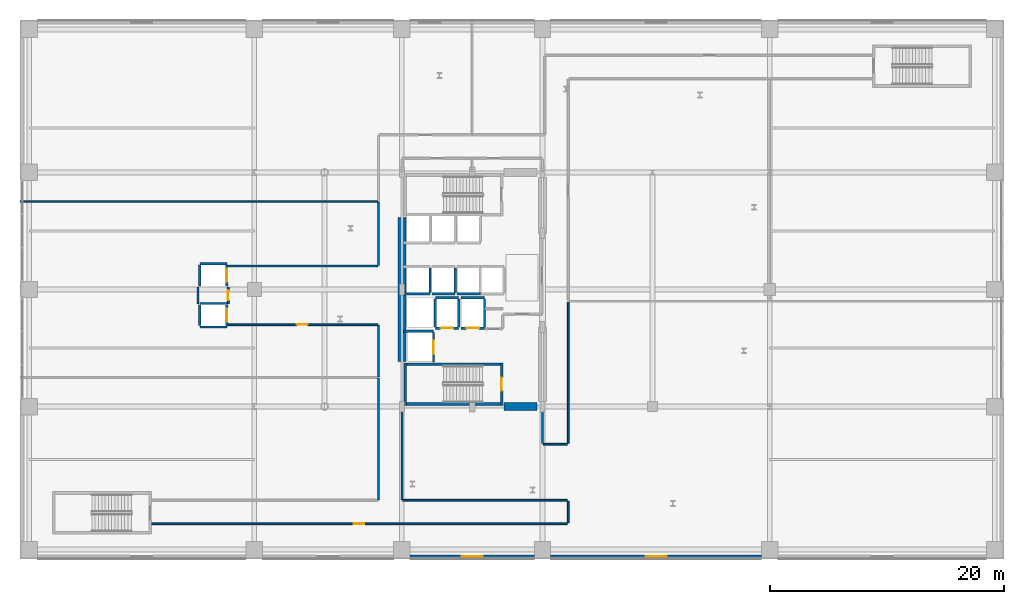
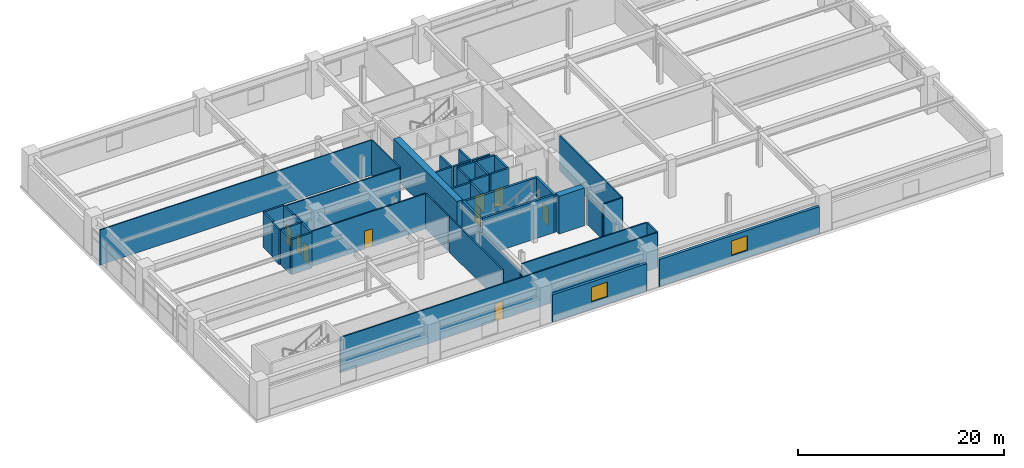
# One storey, part 20 of 28: 44 walls, 9 doors, 2 windows, 11 openings.
"""IFC4 building model written with IfcOpenShell, lengths in metres."""

from ifc_helpers import new_model, si_unit, direction, frame, frame_2d, origin, place, context, subcontext, project, spatial, rectangle, extrude, material, layer, layer_set, type_object, element, fill, save


model = new_model("IFC4")

# Units and contexts
model_context = context("Model", 3, precision=1e-05, world=origin(), true_north=direction((0.0, 1.0)))
body_context = subcontext(model_context, "Body", "Model", "MODEL_VIEW")
ifc_project = project(units=[si_unit("LENGTHUNIT", "METRE"), si_unit("AREAUNIT", "SQUARE_METRE"), si_unit("VOLUMEUNIT", "CUBIC_METRE"), si_unit("PLANEANGLEUNIT", "RADIAN"), si_unit("MASSUNIT", "GRAM", prefix="KILO")], contexts=[model_context])

# Site, building, storey
site_placement = place(None, origin())
site = spatial("IfcSite", under=ifc_project, at=site_placement, CompositionType="ELEMENT")
building_placement = place(site_placement, origin())
building = spatial("IfcBuilding", under=site, at=building_placement, Name="Soratama Intermodal Tower", CompositionType="ELEMENT")
storey_placement = place(building_placement, frame((0.0, 0.0, 20.699951171875)))
storey = spatial("IfcBuildingStorey", under=building, at=storey_placement, Name="L04", CompositionType="ELEMENT", Elevation=20.699951171875)

# Wall, opening, window
ifc_material_1 = material(Name="Concrete f'c 42 MPa", Category="concrete")
ifc_layer_1 = layer(ifc_material_1, 0.300048828125)
ifc_layer_set_1 = layer_set([ifc_layer_1], Name="Concrete f'c 42 MPa")
wall_type_1 = type_object("IfcWallType", Name="EW-STONE-300", PredefinedType="SOLIDWALL", material=ifc_layer_set_1)
wall_1_placement = place(storey_placement, frame((43.89990234375, 2.199951171875, 0.0), z_axis=(0.0, 0.0, 1.0), x_axis=(-1.0, 0.0, 0.0)))
wall_1 = element("IfcWall", 1, at=wall_1_placement, inside=storey, type_object=wall_type_1, Name="L04 S Limestone Wall B3", PredefinedType="SOLIDWALL", context=body_context, shape_type="SweptSolid", body=[
    extrude(rectangle(XDim=10.599853515625, YDim=0.300048828125, at=frame_2d((5.2998046875, 0.0))), origin(), (0.0, 0.0, 1.0), 3.236083984375),
])
opening_1_placement = place(wall_1_placement, frame((4.39990234375, 0.0, 0.85009765625)))
opening_1 = element("IfcOpeningElement", 2, at=opening_1_placement, cuts=wall_1, Name="Opening WN-3", PredefinedType="OPENING", context=body_context, shape_type="SweptSolid", body=[
    extrude(rectangle(XDim=1.800048828125, YDim=1.75, at=frame_2d((0.89990234375, 0.875))), frame((0.0, 0.159912109375, 0.0), z_axis=(0.0, -1.0, 0.0), x_axis=(1.0, 0.0, 0.0)), (0.0, 0.0, 1.0), 0.320068359375),
])
ifc_material_2 = material(Name="Double-glazed aluminium window", Category="aluminium")
window_type = type_object("IfcWindowType", Name="WN-POD-1800", PartitioningType="SINGLE_PANEL", PredefinedType="WINDOW", material=ifc_material_2)
window_1_placement = place(opening_1_placement, origin())
window_1 = element("IfcWindow", 3, at=window_1_placement, inside=storey, type_object=window_type, Name="L04 S Window B3", OverallHeight=1.75, OverallWidth=1.800048828125, PartitioningType="SINGLE_PANEL", PredefinedType="WINDOW", context=body_context, shape_type="SweptSolid", body=[
    extrude(rectangle(XDim=1.800048828125, YDim=1.75, at=frame_2d((0.89990234375, 0.875))), frame((0.0, 0.030029296875, 0.0), z_axis=(0.0, -1.0, 0.0), x_axis=(1.0, 0.0, 0.0)), (0.0, 0.0, 1.0), 0.06005859375),
])
fill(opening_1, window_1)

wall_2_placement = place(storey_placement, frame((63.300048828125, 2.199951171875, 0.0), z_axis=(0.0, 0.0, 1.0), x_axis=(-1.0, 0.0, 0.0)))
wall_2 = element("IfcWall", 4, at=wall_2_placement, inside=storey, type_object=wall_type_1, Name="L04 S Limestone Wall B4", PredefinedType="SOLIDWALL", context=body_context, shape_type="SweptSolid", body=[
    extrude(rectangle(XDim=18.0, YDim=0.300048828125, at=frame_2d((9.0, 0.0))), origin(), (0.0, 0.0, 1.0), 3.236083984375),
])
opening_2_placement = place(wall_2_placement, frame((8.10009765625, 0.0, 0.85009765625)))
opening_2 = element("IfcOpeningElement", 5, at=opening_2_placement, cuts=wall_2, Name="Opening WN-3", PredefinedType="OPENING", context=body_context, shape_type="SweptSolid", body=[
    extrude(rectangle(XDim=1.800048828125, YDim=1.75, at=frame_2d((0.89990234375, 0.875))), frame((0.0, 0.159912109375, 0.0), z_axis=(0.0, -1.0, 0.0), x_axis=(1.0, 0.0, 0.0)), (0.0, 0.0, 1.0), 0.320068359375),
])
window_2_placement = place(opening_2_placement, origin())
window_2 = element("IfcWindow", 6, at=window_2_placement, inside=storey, type_object=window_type, Name="L04 S Window B4", OverallHeight=1.75, OverallWidth=1.800048828125, PartitioningType="SINGLE_PANEL", PredefinedType="WINDOW", context=body_context, shape_type="SweptSolid", body=[
    extrude(rectangle(XDim=1.800048828125, YDim=1.75, at=frame_2d((0.89990234375, 0.875))), frame((0.0, 0.030029296875, 0.0), z_axis=(0.0, -1.0, 0.0), x_axis=(1.0, 0.0, 0.0)), (0.0, 0.0, 1.0), 0.06005859375),
])
fill(opening_2, window_2)

# Wall, opening, door
ifc_material_3 = material(Name="Fire-rated gypsum stud partition", Category="concrete")
ifc_layer_2 = layer(ifc_material_3, 0.14990234375)
ifc_layer_set_2 = layer_set([ifc_layer_2], Name="Fire-rated gypsum stud partition")
wall_type_2 = type_object("IfcWallType", Name="IW-PART-R150", PredefinedType="PARTITIONING", material=ifc_layer_set_2)
wall_3_placement = place(storey_placement, frame((46.72998046875, 5.0, 0.0), z_axis=(0.0, 0.0, 1.0), x_axis=(-1.0, 0.0, 0.0)))
wall_3 = element("IfcWall", 7, at=wall_3_placement, inside=storey, type_object=wall_type_2, Name="L04 Partition W-L04-TP001", PredefinedType="PARTITIONING", context=body_context, shape_type="SweptSolid", body=[
    extrude(rectangle(XDim=35.60986328125, YDim=0.14990234375, at=frame_2d((17.804931640625, 0.0))), origin(), (0.0, 0.0, 1.0), 4.179931640625),
])
opening_3_placement = place(wall_3_placement, frame((17.330078125, 0.0, 0.0)))
opening_3 = element("IfcOpeningElement", 8, at=opening_3_placement, cuts=wall_3, Name="Opening ID-6", PredefinedType="OPENING", context=body_context, shape_type="SweptSolid", body=[
    extrude(rectangle(XDim=0.919921875, YDim=2.1201171875, at=frame_2d((0.4599609375, 1.06005859375))), frame((0.0, 0.0849609375, 0.0), z_axis=(0.0, -1.0, 0.0), x_axis=(1.0, 0.0, 0.0)), (0.0, 0.0, 1.0), 0.169921875),
])
ifc_material_4 = material(Name="Solid hardwood acoustic door", Category="wood")
door_type_1 = type_object("IfcDoorType", Name="DR-ROOM-920", OperationType="NOTDEFINED", PredefinedType="DOOR", material=ifc_material_4)
door_1_placement = place(opening_3_placement, origin())
door_1 = element("IfcDoor", 9, at=door_1_placement, inside=storey, type_object=door_type_1, Name="L04 Door D-L04-TP001", OperationType="SINGLE_SWING_RIGHT", OverallHeight=2.1201171875, OverallWidth=0.919921875, PredefinedType="DOOR", context=body_context, shape_type="SweptSolid", body=[
    extrude(rectangle(XDim=0.919921875, YDim=2.1201171875, at=frame_2d((0.4599609375, 1.06005859375))), frame((0.0, 0.02490234375, 0.0), z_axis=(0.0, -1.0, 0.0), x_axis=(1.0, 0.0, 0.0)), (0.0, 0.0, 1.0), 0.050048828125),
])
fill(opening_3, door_1)

# Wall
wall_4_placement = place(storey_placement, frame((32.669921875, 7.0, 0.0), z_axis=(0.0, 0.0, 1.0), x_axis=(1.0, 0.0, 0.0)))
element("IfcWall", 10, at=wall_4_placement, inside=storey, type_object=wall_type_2, Name="L04 Partition W-L04-TP011", PredefinedType="PARTITIONING", context=body_context, shape_type="SweptSolid", body=[
    extrude(rectangle(XDim=14.06005859375, YDim=0.14990234375, at=frame_2d((7.030029296875, 0.0))), origin(), (0.0, 0.0, 1.0), 4.179931640625),
])

# Wall, opening, door
wall_5_placement = place(storey_placement, frame((30.530029296875, 22.0, 0.0), z_axis=(0.0, 0.0, 1.0), x_axis=(-1.0, 0.0, 0.0)))
wall_5 = element("IfcWall", 11, at=wall_5_placement, inside=storey, type_object=wall_type_2, Name="L04 Partition W-L04-TP012", PredefinedType="PARTITIONING", context=body_context, shape_type="SweptSolid", body=[
    extrude(rectangle(XDim=12.880126953125, YDim=0.14990234375, at=frame_2d((6.43994140625, 0.0))), origin(), (0.0, 0.0, 1.0), 4.179931640625),
])
opening_4_placement = place(wall_5_placement, frame((5.965087890625, 0.0, 0.0)))
opening_4 = element("IfcOpeningElement", 12, at=opening_4_placement, cuts=wall_5, Name="Opening ID-6", PredefinedType="OPENING", context=body_context, shape_type="SweptSolid", body=[
    extrude(rectangle(XDim=0.919921875, YDim=2.1201171875, at=frame_2d((0.4599609375, 1.06005859375))), frame((0.0, 0.0849609375, 0.0), z_axis=(0.0, -1.0, 0.0), x_axis=(1.0, 0.0, 0.0)), (0.0, 0.0, 1.0), 0.169921875),
])
door_2_placement = place(opening_4_placement, origin())
door_2 = element("IfcDoor", 13, at=door_2_placement, inside=storey, type_object=door_type_1, Name="L04 Door D-L04-TP004", OperationType="SINGLE_SWING_LEFT", OverallHeight=2.1201171875, OverallWidth=0.919921875, PredefinedType="DOOR", context=body_context, shape_type="SweptSolid", body=[
    extrude(rectangle(XDim=0.919921875, YDim=2.1201171875, at=frame_2d((0.4599609375, 1.06005859375))), frame((0.0, 0.02490234375, 0.0), z_axis=(0.0, -1.0, 0.0), x_axis=(1.0, 0.0, 0.0)), (0.0, 0.0, 1.0), 0.050048828125),
])
fill(opening_4, door_2)

# Walls
wall_6_placement = place(storey_placement, frame((17.64990234375, 27.0, 0.0), z_axis=(0.0, 0.0, 1.0), x_axis=(1.0, 0.0, 0.0)))
element("IfcWall", 14, at=wall_6_placement, inside=storey, type_object=wall_type_2, Name="L04 Partition W-L04-TP013", PredefinedType="PARTITIONING", context=body_context, shape_type="SweptSolid", body=[
    extrude(rectangle(XDim=12.880126953125, YDim=0.14990234375, at=frame_2d((6.43994140625, 0.0))), origin(), (0.0, 0.0, 1.0), 4.179931640625),
])
wall_7_placement = place(storey_placement, frame((46.800048828125, 23.929931640625, 0.0), z_axis=(0.0, 0.0, 1.0), x_axis=(0.0, -1.0, 0.0)))
element("IfcWall", 15, at=wall_7_placement, inside=storey, type_object=wall_type_2, Name="L04 Partition W-L04-TP014", PredefinedType="PARTITIONING", context=body_context, shape_type="SweptSolid", body=[
    extrude(rectangle(XDim=12.059814453125, YDim=0.14990234375, at=frame_2d((6.02978515625, 0.0))), origin(), (0.0, 0.0, 1.0), 4.179931640625),
])
wall_8_placement = place(storey_placement, frame((30.60009765625, 7.070068359375, 0.0), z_axis=(0.0, 0.0, 1.0), x_axis=(0.0, 1.0, 0.0)))
element("IfcWall", 16, at=wall_8_placement, inside=storey, type_object=wall_type_2, Name="L04 Partition W-L04-TP015", PredefinedType="PARTITIONING", context=body_context, shape_type="SweptSolid", body=[
    extrude(rectangle(XDim=10.35986328125, YDim=0.14990234375, at=frame_2d((5.179931640625, 0.0))), origin(), (0.0, 0.0, 1.0), 4.179931640625),
])
wall_9_placement = place(storey_placement, frame((32.60009765625, 14.929931640625, 0.0), z_axis=(0.0, 0.0, 1.0), x_axis=(0.0, -1.0, 0.0)))
element("IfcWall", 17, at=wall_9_placement, inside=storey, type_object=wall_type_2, Name="L04 Partition W-L04-TP018", PredefinedType="PARTITIONING", context=body_context, shape_type="SweptSolid", body=[
    extrude(rectangle(XDim=7.85986328125, YDim=0.14990234375, at=frame_2d((3.929931640625, 0.0))), origin(), (0.0, 0.0, 1.0), 3.302001953125),
])
wall_10_placement = place(storey_placement, frame((30.60009765625, 27.070068359375, 0.0), z_axis=(0.0, 0.0, 1.0), x_axis=(0.0, 1.0, 0.0)))
element("IfcWall", 18, at=wall_10_placement, inside=storey, type_object=wall_type_2, Name="L04 Partition W-L04-TP026", PredefinedType="PARTITIONING", context=body_context, shape_type="SweptSolid", body=[
    extrude(rectangle(XDim=5.35986328125, YDim=0.14990234375, at=frame_2d((2.679931640625, 0.0))), origin(), (0.0, 0.0, 1.0), 4.179931640625),
])
wall_11_placement = place(storey_placement, frame((30.60009765625, 17.570068359375, 0.0), z_axis=(0.0, 0.0, 1.0), x_axis=(0.0, 1.0, 0.0)))
element("IfcWall", 19, at=wall_11_placement, inside=storey, type_object=wall_type_2, Name="L04 Partition W-L04-TP027", PredefinedType="PARTITIONING", context=body_context, shape_type="SweptSolid", body=[
    extrude(rectangle(XDim=4.35986328125, YDim=0.14990234375, at=frame_2d((2.179931640625, 0.0))), origin(), (0.0, 0.0, 1.0), 4.179931640625),
])
wall_12_placement = place(storey_placement, frame((44.60009765625, 11.8701171875, 0.0), z_axis=(0.0, 0.0, 1.0), x_axis=(0.0, 1.0, 0.0)))
element("IfcWall", 20, at=wall_12_placement, inside=storey, type_object=wall_type_2, Name="L04 Partition W-L04-TP029", PredefinedType="PARTITIONING", context=body_context, shape_type="SweptSolid", body=[
    extrude(rectangle(XDim=3.059814453125, YDim=0.14990234375, at=frame_2d((1.52978515625, 0.0))), origin(), (0.0, 0.0, 1.0), 3.302001953125),
])
wall_13_placement = place(storey_placement, frame((46.72998046875, 11.800048828125, 0.0), z_axis=(0.0, 0.0, 1.0), x_axis=(-1.0, 0.0, 0.0)))
element("IfcWall", 21, at=wall_13_placement, inside=storey, type_object=wall_type_2, Name="L04 Partition W-L04-TP030", PredefinedType="PARTITIONING", context=body_context, shape_type="SweptSolid", body=[
    extrude(rectangle(XDim=2.06005859375, YDim=0.14990234375, at=frame_2d((1.030029296875, 0.0))), origin(), (0.0, 0.0, 1.0), 4.179931640625),
])
wall_14_placement = place(storey_placement, frame((46.800048828125, 6.929931640625, 0.0), z_axis=(0.0, 0.0, 1.0), x_axis=(0.0, -1.0, 0.0)))
element("IfcWall", 22, at=wall_14_placement, inside=storey, type_object=wall_type_2, Name="L04 Partition W-L04-TP031", PredefinedType="PARTITIONING", context=body_context, shape_type="SweptSolid", body=[
    extrude(rectangle(XDim=1.85986328125, YDim=0.14990234375, at=frame_2d((0.929931640625, 0.0))), origin(), (0.0, 0.0, 1.0), 4.179931640625),
])

# Wall, opening, door
wall_15_placement = place(storey_placement, frame((17.77001953125, 23.800048828125, 0.0), z_axis=(0.0, 0.0, 1.0), x_axis=(0.0, 1.0, 0.0)))
wall_15 = element("IfcWall", 23, at=wall_15_placement, inside=storey, type_object=wall_type_2, Name="L04 Partition W-L04-TP033", PredefinedType="PARTITIONING", context=body_context, shape_type="SweptSolid", body=[
    extrude(rectangle(XDim=1.39990234375, YDim=0.14990234375, at=frame_2d((0.699951171875, 0.0))), origin(), (0.0, 0.0, 1.0), 4.179931640625),
])
opening_5_placement = place(wall_15_placement, frame((0.27490234375, 0.0, 0.0)))
opening_5 = element("IfcOpeningElement", 24, at=opening_5_placement, cuts=wall_15, Name="Opening ID-4", PredefinedType="OPENING", context=body_context, shape_type="SweptSolid", body=[
    extrude(rectangle(XDim=0.85009765625, YDim=2.10009765625, at=frame_2d((0.425048828125, 1.050048828125))), frame((0.0, 0.0849609375, 0.0), z_axis=(0.0, -1.0, 0.0), x_axis=(1.0, 0.0, 0.0)), (0.0, 0.0, 1.0), 0.169921875),
])
ifc_material_5 = material(Name="Solid hardwood acoustic door", Category="wood")
door_type_2 = type_object("IfcDoorType", Name="DR-BATH-850", OperationType="NOTDEFINED", PredefinedType="DOOR", material=ifc_material_5)
door_3_placement = place(opening_5_placement, origin())
door_3 = element("IfcDoor", 25, at=door_3_placement, inside=storey, type_object=door_type_2, Name="L04 Door D-L04-TP011", OperationType="SINGLE_SWING_LEFT", OverallHeight=2.10009765625, OverallWidth=0.85009765625, PredefinedType="DOOR", context=body_context, shape_type="SweptSolid", body=[
    extrude(rectangle(XDim=0.85009765625, YDim=2.10009765625, at=frame_2d((0.425048828125, 1.050048828125))), frame((0.0, 0.02490234375, 0.0), z_axis=(0.0, -1.0, 0.0), x_axis=(1.0, 0.0, 0.0)), (0.0, 0.0, 1.0), 0.050048828125),
])
fill(opening_5, door_3)

# Walls
wall_16_placement = place(storey_placement, frame((15.205078125, 23.800048828125, 0.0), z_axis=(0.0, 0.0, 1.0), x_axis=(0.0, 1.0, 0.0)))
element("IfcWall", 26, at=wall_16_placement, inside=storey, type_object=wall_type_2, Name="L04 Partition W-L04-TP034", PredefinedType="PARTITIONING", context=body_context, shape_type="SweptSolid", body=[
    extrude(rectangle(XDim=1.39990234375, YDim=0.14990234375, at=frame_2d((0.699951171875, 0.0))), origin(), (0.0, 0.0, 1.0), 4.179931640625),
])
ifc_material_6 = material(Name="Fire-rated gypsum stud partition", Category="concrete")
ifc_layer_3 = layer(ifc_material_6, 0.1201171875)
ifc_layer_set_3 = layer_set([ifc_layer_3], Name="Fire-rated gypsum stud partition")
wall_type_3 = type_object("IfcWallType", Name="IW-PART-S120", PredefinedType="PARTITIONING", material=ifc_layer_set_3)
wall_17_placement = place(storey_placement, frame((0.0, 32.5, 0.0), z_axis=(0.0, 0.0, 1.0), x_axis=(1.0, 0.0, 0.0)))
element("IfcWall", 27, at=wall_17_placement, inside=storey, type_object=wall_type_3, Name="L04 Partition W-L04-TP003", PredefinedType="PARTITIONING", context=body_context, shape_type="SweptSolid", body=[
    extrude(rectangle(XDim=30.530029296875, YDim=0.1201171875, at=frame_2d((15.26513671875, 0.0))), origin(), (0.0, 0.0, 1.0), 4.179931640625),
])

# Wall, opening, door
ifc_material_7 = material(Name="Concrete f'c 42 MPa", Category="concrete")
ifc_layer_4 = layer(ifc_material_7, 0.199951171875)
ifc_layer_set_4 = layer_set([ifc_layer_4], Name="Concrete f'c 42 MPa")
wall_type_4 = type_object("IfcWallType", Name="IW-SHAFT-200", PredefinedType="SOLIDWALL", material=ifc_layer_set_4)
wall_18_placement = place(storey_placement, frame((35.449951171875, 21.699951171875, 0.0), z_axis=(0.0, 0.0, 1.0), x_axis=(1.0, 0.0, 0.0)))
wall_18 = element("IfcWall", 28, at=wall_18_placement, inside=storey, type_object=wall_type_4, Name="L04 FFL-1 Hoistway Wall S", PredefinedType="SOLIDWALL", context=body_context, shape_type="SweptSolid", body=[
    extrude(rectangle(XDim=2.0, YDim=0.199951171875, at=frame_2d((1.0, 0.0))), origin(), (0.0, 0.0, 1.0), 4.179931640625),
])
opening_6_placement = place(wall_18_placement, frame((0.449951171875, 0.0, 0.0)))
opening_6 = element("IfcOpeningElement", 29, at=opening_6_placement, cuts=wall_18, Name="Opening LD-1", PredefinedType="OPENING", context=body_context, shape_type="SweptSolid", body=[
    extrude(rectangle(XDim=1.10009765625, YDim=2.14990234375, at=frame_2d((0.550048828125, 1.074951171875))), frame((0.0, 0.10986328125, 0.0), z_axis=(0.0, -1.0, 0.0), x_axis=(1.0, 0.0, 0.0)), (0.0, 0.0, 1.0), 0.219970703125),
])
ifc_material_8 = material(Name="Steel fire door", Category="steel")
door_type_3 = type_object("IfcDoorType", Name="DR-LIFT-SLIDE", OperationType="NOTDEFINED", PredefinedType="DOOR", material=ifc_material_8)
door_4_placement = place(opening_6_placement, origin())
door_4 = element("IfcDoor", 30, at=door_4_placement, inside=storey, type_object=door_type_3, Name="L04 FFL-1 Sliding Landing Door", OperationType="SLIDING_TO_LEFT", OverallHeight=2.14990234375, OverallWidth=1.10009765625, PredefinedType="DOOR", context=body_context, shape_type="SweptSolid", body=[
    extrude(rectangle(XDim=1.10009765625, YDim=2.14990234375, at=frame_2d((0.550048828125, 1.074951171875))), frame((0.0, 0.02490234375, 0.0), z_axis=(0.0, -1.0, 0.0), x_axis=(1.0, 0.0, 0.0)), (0.0, 0.0, 1.0), 0.050048828125),
])
fill(opening_6, door_4)

# Walls
wall_19_placement = place(storey_placement, frame((35.449951171875, 24.300048828125, 0.0), z_axis=(0.0, 0.0, 1.0), x_axis=(1.0, 0.0, 0.0)))
element("IfcWall", 31, at=wall_19_placement, inside=storey, type_object=wall_type_4, Name="L04 FFL-1 Hoistway Wall N", PredefinedType="SOLIDWALL", context=body_context, shape_type="SweptSolid", body=[
    extrude(rectangle(XDim=2.0, YDim=0.199951171875, at=frame_2d((1.0, 0.0))), origin(), (0.0, 0.0, 1.0), 4.179931640625),
])
for number, where, z_axis, x_axis, name in (
    (32, (35.449951171875, 21.81005859375, 0.0), (0.0, 0.0, 1.0), (0.0, 1.0, 0.0), "L04 FFL-1 Hoistway Wall W"),
    (33, (37.449951171875, 21.81005859375, 0.0), (0.0, 0.0, 1.0), (0.0, 1.0, 0.0), "L04 FFL-1 Hoistway Wall E"),
):
    element("IfcWall", number, at=place(storey_placement, frame(where, z_axis=z_axis, x_axis=x_axis)), inside=storey, type_object=wall_type_4, Name=name, PredefinedType="SOLIDWALL", context=body_context, shape_type="SweptSolid", body=[
        extrude(rectangle(XDim=2.3798828125, YDim=0.199951171875, at=frame_2d((1.18994140625, 0.0))), origin(), (0.0, 0.0, 1.0), 4.179931640625),
    ])

# Wall, opening, door
wall_20_placement = place(storey_placement, frame((37.64990234375, 21.699951171875, 0.0), z_axis=(0.0, 0.0, 1.0), x_axis=(1.0, 0.0, 0.0)))
wall_20 = element("IfcWall", 34, at=wall_20_placement, inside=storey, type_object=wall_type_4, Name="L04 FFL-2 Hoistway Wall S", PredefinedType="SOLIDWALL", context=body_context, shape_type="SweptSolid", body=[
    extrude(rectangle(XDim=2.0, YDim=0.199951171875, at=frame_2d((1.0, 0.0))), origin(), (0.0, 0.0, 1.0), 4.179931640625),
])
opening_7_placement = place(wall_20_placement, frame((0.449951171875, 0.0, 0.0)))
opening_7 = element("IfcOpeningElement", 35, at=opening_7_placement, cuts=wall_20, Name="Opening LD-1", PredefinedType="OPENING", context=body_context, shape_type="SweptSolid", body=[
    extrude(rectangle(XDim=1.10009765625, YDim=2.14990234375, at=frame_2d((0.550048828125, 1.074951171875))), frame((0.0, 0.10986328125, 0.0), z_axis=(0.0, -1.0, 0.0), x_axis=(1.0, 0.0, 0.0)), (0.0, 0.0, 1.0), 0.219970703125),
])
door_5_placement = place(opening_7_placement, origin())
door_5 = element("IfcDoor", 36, at=door_5_placement, inside=storey, type_object=door_type_3, Name="L04 FFL-2 Sliding Landing Door", OperationType="SLIDING_TO_LEFT", OverallHeight=2.14990234375, OverallWidth=1.10009765625, PredefinedType="DOOR", context=body_context, shape_type="SweptSolid", body=[
    extrude(rectangle(XDim=1.10009765625, YDim=2.14990234375, at=frame_2d((0.550048828125, 1.074951171875))), frame((0.0, 0.02490234375, 0.0), z_axis=(0.0, -1.0, 0.0), x_axis=(1.0, 0.0, 0.0)), (0.0, 0.0, 1.0), 0.050048828125),
])
fill(opening_7, door_5)

# Walls
wall_21_placement = place(storey_placement, frame((37.64990234375, 24.300048828125, 0.0), z_axis=(0.0, 0.0, 1.0), x_axis=(1.0, 0.0, 0.0)))
element("IfcWall", 37, at=wall_21_placement, inside=storey, type_object=wall_type_4, Name="L04 FFL-2 Hoistway Wall N", PredefinedType="SOLIDWALL", context=body_context, shape_type="SweptSolid", body=[
    extrude(rectangle(XDim=2.0, YDim=0.199951171875, at=frame_2d((1.0, 0.0))), origin(), (0.0, 0.0, 1.0), 4.179931640625),
])
wall_22_placement = place(storey_placement, frame((39.64990234375, 21.81005859375, 0.0), z_axis=(0.0, 0.0, 1.0), x_axis=(0.0, 1.0, 0.0)))
element("IfcWall", 38, at=wall_22_placement, inside=storey, type_object=wall_type_4, Name="L04 FFL-2 Hoistway Wall E", PredefinedType="SOLIDWALL", context=body_context, shape_type="SweptSolid", body=[
    extrude(rectangle(XDim=2.3798828125, YDim=0.199951171875, at=frame_2d((1.18994140625, 0.0))), origin(), (0.0, 0.0, 1.0), 4.179931640625),
])
wall_23_placement = place(storey_placement, frame((32.719970703125, 21.449951171875, 0.0), z_axis=(0.0, 0.0, 1.0), x_axis=(1.0, 0.0, 0.0)))
element("IfcWall", 39, at=wall_23_placement, inside=storey, type_object=wall_type_4, Name="L04 SVL-1 Hoistway Wall N", PredefinedType="SOLIDWALL", context=body_context, shape_type="SweptSolid", body=[
    extrude(rectangle(XDim=2.580078125, YDim=0.199951171875, at=frame_2d((1.2900390625, 0.0))), origin(), (0.0, 0.0, 1.0), 4.179931640625),
])

# Wall, opening, door
wall_24_placement = place(storey_placement, frame((35.300048828125, 18.7900390625, 0.0), z_axis=(0.0, 0.0, 1.0), x_axis=(0.0, 1.0, 0.0)))
wall_24 = element("IfcWall", 40, at=wall_24_placement, inside=storey, type_object=wall_type_4, Name="L04 SVL-1 Hoistway Wall E", PredefinedType="SOLIDWALL", context=body_context, shape_type="SweptSolid", body=[
    extrude(rectangle(XDim=2.550048828125, YDim=0.199951171875, at=frame_2d((1.27490234375, 0.0))), origin(), (0.0, 0.0, 1.0), 4.179931640625),
])
opening_8_placement = place(wall_24_placement, frame((0.72509765625, 0.0, 0.0)))
opening_8 = element("IfcOpeningElement", 41, at=opening_8_placement, cuts=wall_24, Name="Opening LD-1", PredefinedType="OPENING", context=body_context, shape_type="SweptSolid", body=[
    extrude(rectangle(XDim=1.10009765625, YDim=2.14990234375, at=frame_2d((0.550048828125, 1.074951171875))), frame((0.0, 0.10986328125, 0.0), z_axis=(0.0, -1.0, 0.0), x_axis=(1.0, 0.0, 0.0)), (0.0, 0.0, 1.0), 0.219970703125),
])
door_6_placement = place(opening_8_placement, origin())
door_6 = element("IfcDoor", 42, at=door_6_placement, inside=storey, type_object=door_type_3, Name="L04 SVL-1 Sliding Landing Door", OperationType="SLIDING_TO_LEFT", OverallHeight=2.14990234375, OverallWidth=1.10009765625, PredefinedType="DOOR", context=body_context, shape_type="SweptSolid", body=[
    extrude(rectangle(XDim=1.10009765625, YDim=2.14990234375, at=frame_2d((0.550048828125, 1.074951171875))), frame((0.0, 0.02490234375, 0.0), z_axis=(0.0, -1.0, 0.0), x_axis=(1.0, 0.0, 0.0)), (0.0, 0.0, 1.0), 0.050048828125),
])
fill(opening_8, door_6)

# Walls
for number, where, z_axis, x_axis, name in (
    (43, (15.35009765625, 21.800048828125, 0.0), (0.0, 0.0, 1.0), (1.0, 0.0, 0.0), "L04 PL-P1 Hoistway Wall S"),
    (44, (15.35009765625, 23.800048828125, 0.0), (0.0, 0.0, 1.0), (1.0, 0.0, 0.0), "L04 PL-P1 Hoistway Wall N"),
):
    element("IfcWall", number, at=place(storey_placement, frame(where, z_axis=z_axis, x_axis=x_axis)), inside=storey, type_object=wall_type_4, Name=name, PredefinedType="SOLIDWALL", context=body_context, shape_type="SweptSolid", body=[
        extrude(rectangle(XDim=2.2998046875, YDim=0.199951171875, at=frame_2d((1.14990234375, 0.0))), origin(), (0.0, 0.0, 1.0), 4.179931640625),
    ])
wall_25_placement = place(storey_placement, frame((15.35009765625, 21.909912109375, 0.0), z_axis=(0.0, 0.0, 1.0), x_axis=(0.0, 1.0, 0.0)))
element("IfcWall", 45, at=wall_25_placement, inside=storey, type_object=wall_type_4, Name="L04 PL-P1 Hoistway Wall W", PredefinedType="SOLIDWALL", context=body_context, shape_type="SweptSolid", body=[
    extrude(rectangle(XDim=1.780029296875, YDim=0.199951171875, at=frame_2d((0.89013671875, 0.0))), origin(), (0.0, 0.0, 1.0), 4.179931640625),
])

# Wall, opening, door
wall_26_placement = place(storey_placement, frame((17.64990234375, 21.909912109375, 0.0), z_axis=(0.0, 0.0, 1.0), x_axis=(0.0, 1.0, 0.0)))
wall_26 = element("IfcWall", 46, at=wall_26_placement, inside=storey, type_object=wall_type_4, Name="L04 PL-P1 Hoistway Wall E", PredefinedType="SOLIDWALL", context=body_context, shape_type="SweptSolid", body=[
    extrude(rectangle(XDim=1.780029296875, YDim=0.199951171875, at=frame_2d((0.89013671875, 0.0))), origin(), (0.0, 0.0, 1.0), 4.179931640625),
])
opening_9_placement = place(wall_26_placement, frame((0.340087890625, 0.0, 0.0)))
opening_9 = element("IfcOpeningElement", 47, at=opening_9_placement, cuts=wall_26, Name="Opening LD-1", PredefinedType="OPENING", context=body_context, shape_type="SweptSolid", body=[
    extrude(rectangle(XDim=1.10009765625, YDim=2.14990234375, at=frame_2d((0.550048828125, 1.074951171875))), frame((0.0, 0.10986328125, 0.0), z_axis=(0.0, -1.0, 0.0), x_axis=(1.0, 0.0, 0.0)), (0.0, 0.0, 1.0), 0.219970703125),
])
door_7_placement = place(opening_9_placement, origin())
door_7 = element("IfcDoor", 48, at=door_7_placement, inside=storey, type_object=door_type_3, Name="L04 PL-P1 Sliding Landing Door", OperationType="SLIDING_TO_LEFT", OverallHeight=2.14990234375, OverallWidth=1.10009765625, PredefinedType="DOOR", context=body_context, shape_type="SweptSolid", body=[
    extrude(rectangle(XDim=1.10009765625, YDim=2.14990234375, at=frame_2d((0.550048828125, 1.074951171875))), frame((0.0, 0.02490234375, 0.0), z_axis=(0.0, -1.0, 0.0), x_axis=(1.0, 0.0, 0.0)), (0.0, 0.0, 1.0), 0.050048828125),
])
fill(opening_9, door_7)

# Walls
wall_27_placement = place(storey_placement, frame((15.35009765625, 27.199951171875, 0.0), z_axis=(0.0, 0.0, 1.0), x_axis=(1.0, 0.0, 0.0)))
element("IfcWall", 49, at=wall_27_placement, inside=storey, type_object=wall_type_4, Name="L04 PL-P2 Hoistway Wall N", PredefinedType="SOLIDWALL", context=body_context, shape_type="SweptSolid", body=[
    extrude(rectangle(XDim=2.2998046875, YDim=0.199951171875, at=frame_2d((1.14990234375, 0.0))), origin(), (0.0, 0.0, 1.0), 4.179931640625),
])
wall_28_placement = place(storey_placement, frame((15.35009765625, 25.31005859375, 0.0), z_axis=(0.0, 0.0, 1.0), x_axis=(0.0, 1.0, 0.0)))
element("IfcWall", 50, at=wall_28_placement, inside=storey, type_object=wall_type_4, Name="L04 PL-P2 Hoistway Wall W", PredefinedType="SOLIDWALL", context=body_context, shape_type="SweptSolid", body=[
    extrude(rectangle(XDim=1.780029296875, YDim=0.199951171875, at=frame_2d((0.89013671875, 0.0))), origin(), (0.0, 0.0, 1.0), 4.179931640625),
])

# Wall, opening, door
wall_29_placement = place(storey_placement, frame((17.64990234375, 25.31005859375, 0.0), z_axis=(0.0, 0.0, 1.0), x_axis=(0.0, 1.0, 0.0)))
wall_29 = element("IfcWall", 51, at=wall_29_placement, inside=storey, type_object=wall_type_4, Name="L04 PL-P2 Hoistway Wall E", PredefinedType="SOLIDWALL", context=body_context, shape_type="SweptSolid", body=[
    extrude(rectangle(XDim=1.780029296875, YDim=0.199951171875, at=frame_2d((0.89013671875, 0.0))), origin(), (0.0, 0.0, 1.0), 4.179931640625),
])
opening_10_placement = place(wall_29_placement, frame((0.340087890625, 0.0, 0.0)))
opening_10 = element("IfcOpeningElement", 52, at=opening_10_placement, cuts=wall_29, Name="Opening LD-1", PredefinedType="OPENING", context=body_context, shape_type="SweptSolid", body=[
    extrude(rectangle(XDim=1.10009765625, YDim=2.14990234375, at=frame_2d((0.550048828125, 1.074951171875))), frame((0.0, 0.10986328125, 0.0), z_axis=(0.0, -1.0, 0.0), x_axis=(1.0, 0.0, 0.0)), (0.0, 0.0, 1.0), 0.219970703125),
])
door_8_placement = place(opening_10_placement, origin())
door_8 = element("IfcDoor", 53, at=door_8_placement, inside=storey, type_object=door_type_3, Name="L04 PL-P2 Sliding Landing Door", OperationType="SLIDING_TO_LEFT", OverallHeight=2.14990234375, OverallWidth=1.10009765625, PredefinedType="DOOR", context=body_context, shape_type="SweptSolid", body=[
    extrude(rectangle(XDim=1.10009765625, YDim=2.14990234375, at=frame_2d((0.550048828125, 1.074951171875))), frame((0.0, 0.02490234375, 0.0), z_axis=(0.0, -1.0, 0.0), x_axis=(1.0, 0.0, 0.0)), (0.0, 0.0, 1.0), 0.050048828125),
])
fill(opening_10, door_8)

# Walls
wall_30_placement = place(storey_placement, frame((32.719970703125, 24.64990234375, 0.0), z_axis=(0.0, 0.0, 1.0), x_axis=(1.0, 0.0, 0.0)))
element("IfcWall", 54, at=wall_30_placement, inside=storey, type_object=wall_type_4, Name="L04 PL-L1 Hoistway Wall S", PredefinedType="SOLIDWALL", context=body_context, shape_type="SweptSolid", body=[
    extrude(rectangle(XDim=2.280029296875, YDim=0.199951171875, at=frame_2d((1.14013671875, 0.0))), origin(), (0.0, 0.0, 1.0), 4.179931640625),
])
wall_31_placement = place(storey_placement, frame((35.0, 24.760009765625, 0.0), z_axis=(0.0, 0.0, 1.0), x_axis=(0.0, 1.0, 0.0)))
element("IfcWall", 55, at=wall_31_placement, inside=storey, type_object=wall_type_4, Name="L04 PL-L1 Hoistway Wall E", PredefinedType="SOLIDWALL", context=body_context, shape_type="SweptSolid", body=[
    extrude(rectangle(XDim=2.080078125, YDim=0.199951171875, at=frame_2d((1.0400390625, 0.0))), origin(), (0.0, 0.0, 1.0), 4.179931640625),
])
wall_32_placement = place(storey_placement, frame((35.14990234375, 24.64990234375, 0.0), z_axis=(0.0, 0.0, 1.0), x_axis=(1.0, 0.0, 0.0)))
element("IfcWall", 56, at=wall_32_placement, inside=storey, type_object=wall_type_4, Name="L04 PL-L2 Hoistway Wall S", PredefinedType="SOLIDWALL", context=body_context, shape_type="SweptSolid", body=[
    extrude(rectangle(XDim=2.0, YDim=0.199951171875, at=frame_2d((1.0, 0.0))), origin(), (0.0, 0.0, 1.0), 4.179931640625),
])
wall_33_placement = place(storey_placement, frame((37.14990234375, 24.760009765625, 0.0), z_axis=(0.0, 0.0, 1.0), x_axis=(0.0, 1.0, 0.0)))
element("IfcWall", 57, at=wall_33_placement, inside=storey, type_object=wall_type_4, Name="L04 PL-L2 Hoistway Wall E", PredefinedType="SOLIDWALL", context=body_context, shape_type="SweptSolid", body=[
    extrude(rectangle(XDim=2.080078125, YDim=0.199951171875, at=frame_2d((1.0400390625, 0.0))), origin(), (0.0, 0.0, 1.0), 4.179931640625),
])
wall_34_placement = place(storey_placement, frame((37.300048828125, 24.64990234375, 0.0), z_axis=(0.0, 0.0, 1.0), x_axis=(1.0, 0.0, 0.0)))
element("IfcWall", 58, at=wall_34_placement, inside=storey, type_object=wall_type_4, Name="L04 PL-L3 Hoistway Wall S", PredefinedType="SOLIDWALL", context=body_context, shape_type="SweptSolid", body=[
    extrude(rectangle(XDim=2.0, YDim=0.199951171875, at=frame_2d((1.0, 0.0))), origin(), (0.0, 0.0, 1.0), 4.179931640625),
])
ifc_material_9 = material(Name="Concrete f'c 56 MPa", Category="concrete")
ifc_layer_5 = layer(ifc_material_9, 0.699951171875)
ifc_layer_set_5 = layer_set([ifc_layer_5], Name="Concrete f'c 56 MPa")
wall_type_5 = type_object("IfcWallType", Name="SW-CORE-700", PredefinedType="SHEAR", material=ifc_layer_set_5)
wall_35_placement = place(storey_placement, frame((32.60009765625, 18.85009765625, 0.0), z_axis=(0.0, 0.0, 1.0), x_axis=(0.0, 1.0, 0.0)))
element("IfcWall", 59, at=wall_35_placement, inside=storey, type_object=wall_type_5, Name="L04 Core Shear Wall CW-WMID", PredefinedType="SHEAR", context=body_context, shape_type="SweptSolid", body=[
    extrude(rectangle(XDim=12.2998046875, YDim=0.699951171875, at=frame_2d((6.14990234375, 0.0))), origin(), (0.0, 0.0, 1.0), 4.5),
])
wall_36_placement = place(storey_placement, frame((41.300048828125, 15.0, 0.0), z_axis=(0.0, 0.0, 1.0), x_axis=(1.0, 0.0, 0.0)))
element("IfcWall", 60, at=wall_36_placement, inside=storey, type_object=wall_type_5, Name="L04 Core Shear Wall CW-SE", PredefinedType="SHEAR", context=body_context, shape_type="SweptSolid", body=[
    extrude(rectangle(XDim=2.849853515625, YDim=0.699951171875, at=frame_2d((1.4248046875, 0.0))), origin(), (0.0, 0.0, 1.0), 4.5),
])
ifc_material_10 = material(Name="Concrete f'c 56 MPa", Category="concrete")
ifc_layer_6 = layer(ifc_material_10, 0.239990234375)
ifc_layer_set_6 = layer_set([ifc_layer_6], Name="Concrete f'c 56 MPa")
wall_type_6 = type_object("IfcWallType", Name="SW-STAIR-240", PredefinedType="SHEAR", material=ifc_layer_set_6)
wall_37_placement = place(storey_placement, frame((32.8798828125, 15.110107421875, 0.0), z_axis=(0.0, 0.0, 1.0), x_axis=(0.0, 1.0, 0.0)))
element("IfcWall", 61, at=wall_37_placement, inside=storey, type_object=wall_type_6, Name="L04 ST-1 Shaft Shear Wall W", PredefinedType="SHEAR", context=body_context, shape_type="SweptSolid", body=[
    extrude(rectangle(XDim=3.6298828125, YDim=0.239990234375, at=frame_2d((1.81494140625, 0.0))), origin(), (0.0, 0.0, 1.0), 4.5),
])

# Wall, opening, door
wall_38_placement = place(storey_placement, frame((41.1201171875, 15.110107421875, 0.0), z_axis=(0.0, 0.0, 1.0), x_axis=(0.0, 1.0, 0.0)))
wall_38 = element("IfcWall", 62, at=wall_38_placement, inside=storey, type_object=wall_type_6, Name="L04 ST-1 Shaft Shear Wall E", PredefinedType="SHEAR", context=body_context, shape_type="SweptSolid", body=[
    extrude(rectangle(XDim=3.6298828125, YDim=0.239990234375, at=frame_2d((1.81494140625, 0.0))), origin(), (0.0, 0.0, 1.0), 4.5),
])
opening_11_placement = place(wall_38_placement, frame((1.2548828125, 0.0, 0.0)))
opening_11 = element("IfcOpeningElement", 63, at=opening_11_placement, cuts=wall_38, Name="Opening SD-1", PredefinedType="OPENING", context=body_context, shape_type="SweptSolid", body=[
    extrude(rectangle(XDim=1.1201171875, YDim=2.14990234375, at=frame_2d((0.56005859375, 1.074951171875))), frame((0.0, 0.1298828125, 0.0), z_axis=(0.0, -1.0, 0.0), x_axis=(1.0, 0.0, 0.0)), (0.0, 0.0, 1.0), 0.260009765625),
])
ifc_material_11 = material(Name="Steel fire door", Category="steel")
door_type_4 = type_object("IfcDoorType", Name="DR-STAIR-FD90", OperationType="NOTDEFINED", PredefinedType="DOOR", material=ifc_material_11)
door_9_placement = place(opening_11_placement, origin())
door_9 = element("IfcDoor", 64, at=door_9_placement, inside=storey, type_object=door_type_4, Name="L04 ST-1 Exit Stair Door", OperationType="SINGLE_SWING_LEFT", OverallHeight=2.14990234375, OverallWidth=1.1201171875, PredefinedType="DOOR", context=body_context, shape_type="SweptSolid", body=[
    extrude(rectangle(XDim=1.1201171875, YDim=2.14990234375, at=frame_2d((0.56005859375, 1.074951171875))), frame((0.0, 0.02490234375, 0.0), z_axis=(0.0, -1.0, 0.0), x_axis=(1.0, 0.0, 0.0)), (0.0, 0.0, 1.0), 0.050048828125),
])
fill(opening_11, door_9)

# Walls
for number, where, z_axis, x_axis, name in (
    (65, (33.0, 15.22998046875, 0.0), (0.0, 0.0, 1.0), (1.0, 0.0, 0.0), "L04 ST-1 Shaft Shear Wall S"),
    (66, (33.0, 18.6201171875, 0.0), (0.0, 0.0, 1.0), (1.0, 0.0, 0.0), "L04 ST-1 Shaft Shear Wall N"),
):
    element("IfcWall", number, at=place(storey_placement, frame(where, z_axis=z_axis, x_axis=x_axis)), inside=storey, type_object=wall_type_6, Name=name, PredefinedType="SHEAR", context=body_context, shape_type="SweptSolid", body=[
        extrude(rectangle(XDim=8.0, YDim=0.239990234375, at=frame_2d((4.0, 0.0))), origin(), (0.0, 0.0, 1.0), 4.5),
    ])

save(model, "model.ifc")
